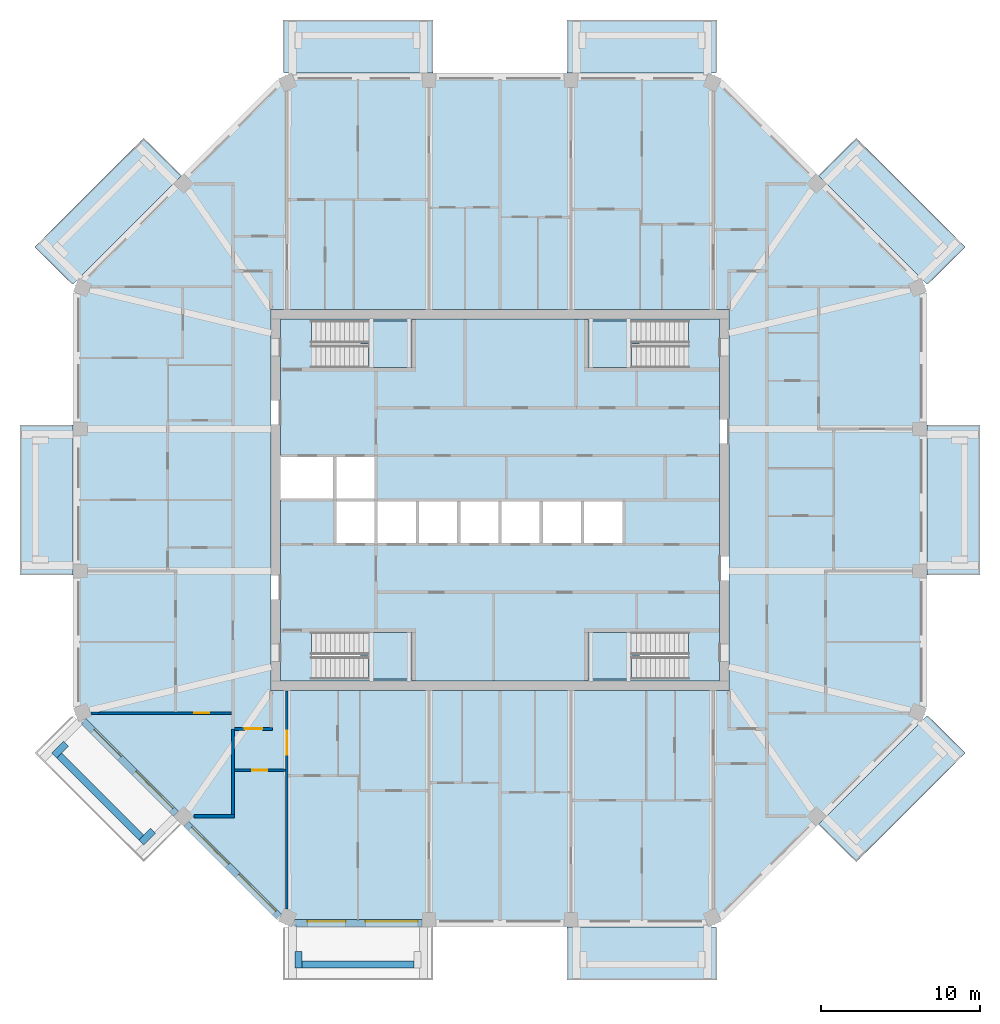
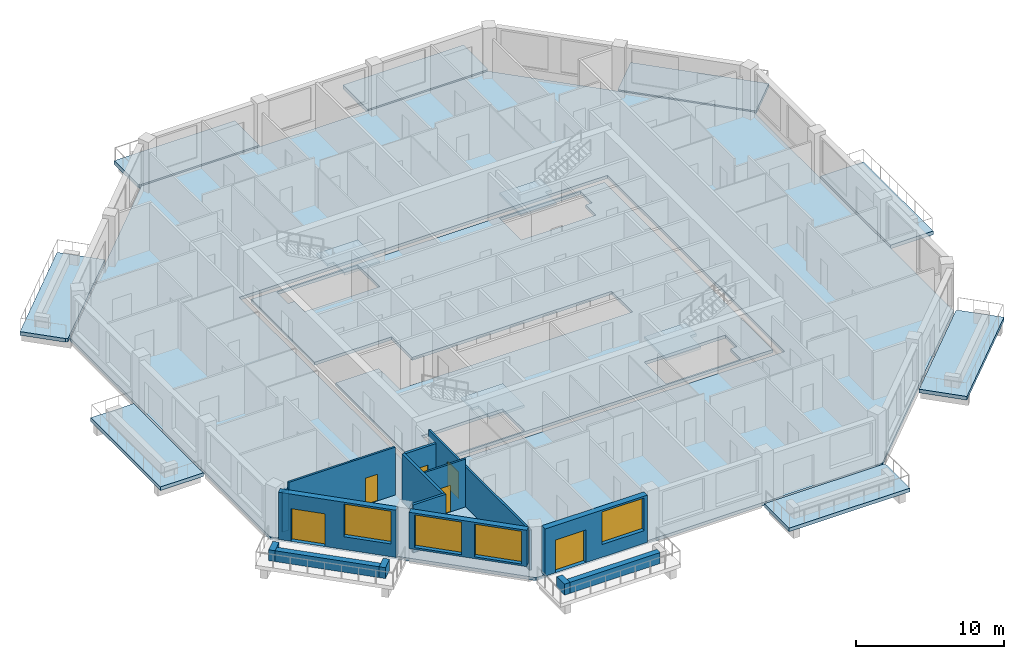
# One storey, part 2 of 13: 15 walls, 14 slabs, 6 doors, 4 windows, 10 openings, 4 elements without a shape of their own.
"""IFC4 building model written with IfcOpenShell, lengths in metres."""

from ifc_helpers import new_model, si_unit, direction, frame, frame_2d, origin, place, context, subcontext, project, spatial, polyline, rectangle, outline, extrude, material, layer, layer_set, type_object, element, fill, aggregate, save


model = new_model("IFC4")

# Units and contexts
model_context = context("Model", 3, precision=1e-05, world=origin(), true_north=direction((0.0, 1.0)))
body_context = subcontext(model_context, "Body", "Model", "MODEL_VIEW")
ifc_project = project(units=[si_unit("LENGTHUNIT", "METRE"), si_unit("AREAUNIT", "SQUARE_METRE"), si_unit("VOLUMEUNIT", "CUBIC_METRE"), si_unit("PLANEANGLEUNIT", "RADIAN"), si_unit("MASSUNIT", "GRAM", prefix="KILO")], contexts=[model_context])

# Site, building, storey
site_placement = place(None, origin())
site = spatial("IfcSite", under=ifc_project, at=site_placement, CompositionType="ELEMENT")
building_placement = place(site_placement, origin())
building = spatial("IfcBuilding", under=site, at=building_placement, Name="Msitu Wima Residences", CompositionType="ELEMENT")
storey_placement = place(building_placement, frame((0.0, 0.0, 281.10009765625)))
storey = spatial("IfcBuildingStorey", under=building, at=storey_placement, Name="L65", CompositionType="ELEMENT", Elevation=281.10009765625)

# Slabs
ifc_material_1 = material(Name="Concrete C40/50", Category="concrete")
ifc_layer_1 = layer(ifc_material_1, 0.300048828125)
ifc_layer_set_1 = layer_set([ifc_layer_1], Name="Concrete C40/50")
slab_type_1 = type_object("IfcSlabType", Name="Balcony slab BS300", PredefinedType="FLOOR", material=ifc_layer_set_1)
slab_1_placement = place(storey_placement, frame((0.0, 0.0, -0.300048828125)))
element("IfcSlab", 1, at=slab_1_placement, inside=storey, type_object=slab_type_1, Name="Balcony E1 L65", PredefinedType="FLOOR", context=body_context, shape_type="SweptSolid", body=[
    extrude(outline(polyline([(26.85009765625, -4.0185546875), (26.85009765625, 4.0185546875), (26.85009765625, 4.71875), (30.199951171875, 4.71875), (30.199951171875, -4.71875), (26.85009765625, -4.71875), (26.85009765625, -4.0185546875)])), origin(), (0.0, 0.0, 1.0), 0.300048828125),
])
slab_2_placement = place(storey_placement, frame((0.0, 0.0, -0.300048828125)))
element("IfcSlab", 2, at=slab_2_placement, inside=storey, type_object=slab_type_1, Name="Balcony NE0 L65", PredefinedType="FLOOR", context=body_context, shape_type="SweptSolid", body=[
    extrude(outline(polyline([(26.505615234375, 13.936767578125), (26.505615234375, 13.936767578125), (20.04443359375, 20.39794921875), (22.4130859375, 22.766845703125), (29.263671875, 15.916015625), (27.003662109375, 13.656005859375), (26.85009765625, 13.59228515625), (26.505615234375, 13.936767578125), (26.505615234375, 13.936767578125)])), origin(), (0.0, 0.0, 1.0), 0.300048828125),
])
slab_3_placement = place(storey_placement, frame((0.0, 0.0, -0.300048828125)))
element("IfcSlab", 3, at=slab_3_placement, inside=storey, type_object=slab_type_1, Name="Balcony N0 L65", PredefinedType="FLOOR", context=body_context, shape_type="SweptSolid", body=[
    extrude(outline(polyline([(13.105224609375, 26.85009765625), (13.105224609375, 26.85009765625), (4.918701171875, 26.85009765625), (4.21875, 26.85009765625), (4.21875, 30.199951171875), (13.656005859375, 30.199951171875), (13.656005859375, 27.003662109375), (13.59228515625, 26.85009765625), (13.105224609375, 26.85009765625), (13.105224609375, 26.85009765625)])), origin(), (0.0, 0.0, 1.0), 0.300048828125),
])
slab_4_placement = place(storey_placement, frame((0.0, 0.0, -0.300048828125)))
element("IfcSlab", 4, at=slab_4_placement, inside=storey, type_object=slab_type_1, Name="Balcony N2 L65", PredefinedType="FLOOR", context=body_context, shape_type="SweptSolid", body=[
    extrude(outline(polyline([(-13.105224609375, 26.85009765625), (-13.105224609375, 26.85009765625), (-13.105224609375, 26.85009765625), (-13.59228515625, 26.85009765625), (-13.656005859375, 27.003662109375), (-13.656005859375, 30.199951171875), (-4.21875, 30.199951171875), (-4.21875, 26.85009765625), (-4.918701171875, 26.85009765625), (-13.105224609375, 26.85009765625)])), origin(), (0.0, 0.0, 1.0), 0.300048828125),
])
slab_5_placement = place(storey_placement, frame((0.0, 0.0, -0.300048828125)))
element("IfcSlab", 5, at=slab_5_placement, inside=storey, type_object=slab_type_1, Name="Balcony NW1 L65", PredefinedType="FLOOR", context=body_context, shape_type="SweptSolid", body=[
    extrude(outline(polyline([(-26.505615234375, 13.936767578125), (-26.505615234375, 13.936767578125), (-26.85009765625, 13.59228515625), (-27.003662109375, 13.656005859375), (-29.263671875, 15.916015625), (-22.4130859375, 22.766845703125), (-20.04443359375, 20.39794921875), (-26.505615234375, 13.936767578125), (-26.505615234375, 13.936767578125)])), origin(), (0.0, 0.0, 1.0), 0.300048828125),
])
slab_6_placement = place(storey_placement, frame((0.0, 0.0, -0.300048828125)))
element("IfcSlab", 6, at=slab_6_placement, inside=storey, type_object=slab_type_1, Name="Balcony W1 L65", PredefinedType="FLOOR", context=body_context, shape_type="SweptSolid", body=[
    extrude(outline(polyline([(-26.85009765625, 4.0185546875), (-26.85009765625, -4.0185546875), (-26.85009765625, -4.71875), (-30.199951171875, -4.71875), (-30.199951171875, 4.71875), (-26.85009765625, 4.71875), (-26.85009765625, 4.0185546875)])), origin(), (0.0, 0.0, 1.0), 0.300048828125),
])
slab_7_placement = place(storey_placement, frame((0.0, 0.0, -0.300048828125)))
element("IfcSlab", 7, at=slab_7_placement, inside=storey, type_object=slab_type_1, Name="Balcony S2 L65", PredefinedType="FLOOR", context=body_context, shape_type="SweptSolid", body=[
    extrude(outline(polyline([(13.105224609375, -26.85009765625), (13.105224609375, -26.85009765625), (13.105224609375, -26.85009765625), (13.59228515625, -26.85009765625), (13.656005859375, -27.003662109375), (13.656005859375, -30.199951171875), (4.21875, -30.199951171875), (4.21875, -26.85009765625), (4.918701171875, -26.85009765625), (13.105224609375, -26.85009765625)])), origin(), (0.0, 0.0, 1.0), 0.300048828125),
])
slab_8_placement = place(storey_placement, frame((0.0, 0.0, -0.300048828125)))
element("IfcSlab", 8, at=slab_8_placement, inside=storey, type_object=slab_type_1, Name="Balcony SE1 L65", PredefinedType="FLOOR", context=body_context, shape_type="SweptSolid", body=[
    extrude(outline(polyline([(26.505615234375, -13.936767578125), (26.505615234375, -13.936767578125), (26.85009765625, -13.59228515625), (27.003662109375, -13.656005859375), (29.263671875, -15.916015625), (22.4130859375, -22.766845703125), (20.04443359375, -20.39794921875), (26.505615234375, -13.936767578125), (26.505615234375, -13.936767578125)])), origin(), (0.0, 0.0, 1.0), 0.300048828125),
])
ifc_layer_2 = layer(ifc_material_1, 0.25)
ifc_layer_set_2 = layer_set([ifc_layer_2], Name="Concrete C40/50")
slab_type_2 = type_object("IfcSlabType", Name="Core floor CF250", PredefinedType="FLOOR", material=ifc_layer_set_2)
slab_9_placement = place(storey_placement, frame((0.0, 0.0, -0.25)))
element("IfcSlab", 9, at=slab_9_placement, inside=storey, type_object=slab_type_2, Name="Core floor", PredefinedType="FLOOR", context=body_context, shape_type="SweptSolid", body=[
    extrude(outline(polyline([(-13.800048828125, 11.39990234375), (-13.800048828125, 2.800048828125), (-10.39990234375, 2.800048828125), (-7.800048828125, 2.800048828125), (-7.800048828125, 0.0), (-5.199951171875, 0.0), (-2.60009765625, 0.0), (0.0, 0.0), (2.60009765625, 0.0), (5.199951171875, 0.0), (7.800048828125, 0.0), (7.800048828125, -2.800048828125), (5.199951171875, -2.800048828125), (2.60009765625, -2.800048828125), (0.0, -2.800048828125), (-2.60009765625, -2.800048828125), (-5.199951171875, -2.800048828125), (-7.800048828125, -2.800048828125), (-10.39990234375, -2.800048828125), (-10.39990234375, 0.0), (-13.800048828125, 0.0), (-13.800048828125, -11.39990234375), (13.800048828125, -11.39990234375), (13.800048828125, 11.39990234375), (-13.800048828125, 11.39990234375)]), holes=[polyline([(-11.375, -11.27490234375), (-11.375, -9.875), (-11.87451171875, -9.875), (-11.87451171875, -8.324951171875), (-5.52490234375, -8.324951171875), (-5.52490234375, -11.27490234375), (-11.375, -11.27490234375)]), polyline([(-11.375, 8.324951171875), (-11.375, 9.72509765625), (-11.87451171875, 9.72509765625), (-11.87451171875, 11.27490234375), (-5.52490234375, 11.27490234375), (-5.52490234375, 8.324951171875), (-11.375, 8.324951171875)]), polyline([(11.375, -9.875), (11.375, -11.27490234375), (5.52490234375, -11.27490234375), (5.52490234375, -8.324951171875), (11.87451171875, -8.324951171875), (11.87451171875, -9.875), (11.375, -9.875)]), polyline([(11.375, 9.72509765625), (11.375, 8.324951171875), (5.52490234375, 8.324951171875), (5.52490234375, 11.27490234375), (11.87451171875, 11.27490234375), (11.87451171875, 9.72509765625), (11.375, 9.72509765625)])]), origin(), (0.0, 0.0, 1.0), 0.25),
])
ifc_layer_3 = layer(ifc_material_1, 0.25)
ifc_layer_set_3 = layer_set([ifc_layer_3], Name="Concrete C40/50")
slab_type_3 = type_object("IfcSlabType", Name="PT flat slab 250 Concrete C40/50", PredefinedType="FLOOR", material=ifc_layer_set_3)
slab_10_placement = place(storey_placement, frame((0.0, 0.0, -0.25)))
element("IfcSlab", 10, at=slab_10_placement, inside=storey, type_object=slab_type_3, Name="Floor slab L65", PredefinedType="FLOOR", context=body_context, shape_type="SweptSolid", body=[
    extrude(outline(polyline([(26.699951171875, -13.5302734375), (13.5302734375, -26.699951171875), (-13.5302734375, -26.699951171875), (-26.699951171875, -13.5302734375), (-26.699951171875, 13.5302734375), (-13.5302734375, 26.699951171875), (13.5302734375, 26.699951171875), (26.699951171875, 13.5302734375), (26.699951171875, -13.5302734375)]), holes=[polyline([(-14.39990234375, -12.0), (14.39990234375, -12.0), (14.39990234375, 12.0), (-14.39990234375, 12.0), (-14.39990234375, -12.0)])]), origin(), (0.0, 0.0, 1.0), 0.25),
])

# Stair, slab
stair_type = type_object("IfcStairType", Name="Exit stair ES1615-140", PredefinedType="HALF_TURN_STAIR", material=ifc_material_1)
stair_1_placement = place(storey_placement, origin())
stair_1 = element("IfcStair", 11, at=stair_1_placement, inside=storey, type_object=stair_type, Name="Exit stair 1", PredefinedType="HALF_TURN_STAIR")
ifc_layer_4 = layer(ifc_material_1, 0.199951171875)
ifc_layer_set_4 = layer_set([ifc_layer_4], Name="Concrete C40/50")
slab_type_4 = type_object("IfcSlabType", Name="Stair landing SL200", PredefinedType="LANDING", material=ifc_layer_set_4)
slab_11_placement = place(storey_placement, frame((0.0, 0.0, 1.89990234375)))
slab_11 = element("IfcSlab", 12, at=slab_11_placement, type_object=slab_type_4, Name="S1 landing 1", PredefinedType="LANDING", context=body_context, shape_type="SweptSolid", body=[
    extrude(outline(polyline([(-5.52490234375, 8.324951171875), (-8.275390625, 8.324951171875), (-8.275390625, 9.800048828125), (-8.77490234375, 9.800048828125), (-8.77490234375, 11.27490234375), (-5.52490234375, 11.27490234375), (-5.52490234375, 8.324951171875)])), origin(), (0.0, 0.0, 1.0), 0.199951171875),
])
aggregate(stair_1, [slab_11])

stair_2_placement = place(storey_placement, origin())
stair_2 = element("IfcStair", 13, at=stair_2_placement, inside=storey, type_object=stair_type, Name="Exit stair 2", PredefinedType="HALF_TURN_STAIR")
slab_12_placement = place(storey_placement, frame((0.0, 0.0, 1.89990234375)))
slab_12 = element("IfcSlab", 14, at=slab_12_placement, type_object=slab_type_4, Name="S2 landing 1", PredefinedType="LANDING", context=body_context, shape_type="SweptSolid", body=[
    extrude(outline(polyline([(-5.52490234375, -11.27490234375), (-8.275390625, -11.27490234375), (-8.275390625, -9.800048828125), (-8.77490234375, -9.800048828125), (-8.77490234375, -8.324951171875), (-5.52490234375, -8.324951171875), (-5.52490234375, -11.27490234375)])), origin(), (0.0, 0.0, 1.0), 0.199951171875),
])
aggregate(stair_2, [slab_12])

stair_3_placement = place(storey_placement, origin())
stair_3 = element("IfcStair", 15, at=stair_3_placement, inside=storey, type_object=stair_type, Name="Exit stair 3", PredefinedType="HALF_TURN_STAIR")
slab_13_placement = place(storey_placement, frame((0.0, 0.0, 1.89990234375)))
slab_13 = element("IfcSlab", 16, at=slab_13_placement, type_object=slab_type_4, Name="S3 landing 1", PredefinedType="LANDING", context=body_context, shape_type="SweptSolid", body=[
    extrude(outline(polyline([(5.52490234375, 8.324951171875), (8.275390625, 8.324951171875), (8.275390625, 9.800048828125), (8.77490234375, 9.800048828125), (8.77490234375, 11.27490234375), (5.52490234375, 11.27490234375), (5.52490234375, 8.324951171875)])), origin(), (0.0, 0.0, 1.0), 0.199951171875),
])
aggregate(stair_3, [slab_13])

stair_4_placement = place(storey_placement, origin())
stair_4 = element("IfcStair", 17, at=stair_4_placement, inside=storey, type_object=stair_type, Name="Exit stair 4", PredefinedType="HALF_TURN_STAIR")
slab_14_placement = place(storey_placement, frame((0.0, 0.0, 1.89990234375)))
slab_14 = element("IfcSlab", 18, at=slab_14_placement, type_object=slab_type_4, Name="S4 landing 1", PredefinedType="LANDING", context=body_context, shape_type="SweptSolid", body=[
    extrude(outline(polyline([(5.52490234375, -11.27490234375), (8.275390625, -11.27490234375), (8.275390625, -9.800048828125), (8.77490234375, -9.800048828125), (8.77490234375, -8.324951171875), (5.52490234375, -8.324951171875), (5.52490234375, -11.27490234375)])), origin(), (0.0, 0.0, 1.0), 0.199951171875),
])
aggregate(stair_4, [slab_14])

# Walls
ifc_material_2 = material(Name="Facing brick")
ifc_layer_5 = layer(ifc_material_2, 0.06494140625, Name="Facing brick")
ifc_layer_6 = layer(ifc_material_1, 0.156005859375, Name="Concrete C40/50")
ifc_material_3 = material(Name="Waterproofing membrane")
ifc_layer_7 = layer(ifc_material_3, 0.00390625, Name="Waterproofing membrane")
ifc_material_4 = material(Name="Planting soil and planting")
ifc_layer_8 = layer(ifc_material_4, 0.22509765625, Name="Planting soil and planting")
ifc_layer_set_5 = layer_set([ifc_layer_5, ifc_layer_6, ifc_layer_7, ifc_layer_8], Name="Concrete C40/50")
wall_type_1 = type_object("IfcWallType", Name="Balcony planter PLANTER PL450", PredefinedType="USERDEFINED", material=ifc_layer_set_5)
wall_1_placement = place(storey_placement, frame((-27.725830078125, -16.0751953125, 0.0), z_axis=(0.0, 0.0, 1.0), x_axis=(0.707106781187, -0.707106781187, 0.0)))
element("IfcWall", 19, at=wall_1_placement, inside=storey, type_object=wall_type_1, Name="Balcony planter SW0 L65", ObjectType="PLANTER", PredefinedType="USERDEFINED", context=body_context, shape_type="SweptSolid", body=[
    extrude(rectangle(XDim=7.288330078125, YDim=0.449951171875, at=frame_2d((3.64404296875, 0.0))), origin(), (0.0, 0.0, 1.0), 0.89990234375),
])
for number, where, z_axis, x_axis, name in (
    (20, (-27.301513671875, -15.332763671875, 0.0), (0.0, 0.0, 1.0), (-0.707106781187, -0.707106781187, 0.0), "Balcony planter SW0 L65"),
    (21, (-21.829833984375, -20.804443359375, 0.0), (0.0, 0.0, 1.0), (-0.707106781187, -0.707106781187, 0.0), "Balcony planter SW0 L65"),
):
    element("IfcWall", number, at=place(storey_placement, frame(where, z_axis=z_axis, x_axis=x_axis)), inside=storey, type_object=wall_type_1, Name=name, ObjectType="PLANTER", PredefinedType="USERDEFINED", context=body_context, shape_type="SweptSolid", body=[
        extrude(rectangle(XDim=1.050048828125, YDim=0.449951171875, at=frame_2d((0.52490234375, 0.0))), origin(), (0.0, 0.0, 1.0), 0.89990234375),
    ])
wall_2_placement = place(storey_placement, frame((-12.455810546875, -29.22509765625, 0.0), z_axis=(0.0, 0.0, 1.0), x_axis=(1.0, 0.0, 0.0)))
element("IfcWall", 22, at=wall_2_placement, inside=storey, type_object=wall_type_1, Name="Balcony planter S0 L65", ObjectType="PLANTER", PredefinedType="USERDEFINED", context=body_context, shape_type="SweptSolid", body=[
    extrude(rectangle(XDim=7.037109375, YDim=0.449951171875, at=frame_2d((3.5185546875, 0.0))), origin(), (0.0, 0.0, 1.0), 0.89990234375),
])
wall_3_placement = place(storey_placement, frame((-12.680908203125, -28.39990234375, 0.0), z_axis=(0.0, 0.0, 1.0), x_axis=(0.0, -1.0, 0.0)))
element("IfcWall", 23, at=wall_3_placement, inside=storey, type_object=wall_type_1, Name="Balcony planter S0 L65", ObjectType="PLANTER", PredefinedType="USERDEFINED", context=body_context, shape_type="SweptSolid", body=[
    extrude(rectangle(XDim=1.050048828125, YDim=0.449951171875, at=frame_2d((0.52490234375, 0.0))), origin(), (0.0, 0.0, 1.0), 0.89990234375),
])

# Wall, openings, door, window
ifc_material_5 = material(Name="Brick (red buff mix)", Category="masonry")
ifc_layer_9 = layer(ifc_material_5, 0.449951171875)
ifc_layer_set_6 = layer_set([ifc_layer_9], Name="Brick (red buff mix)")
wall_type_2 = type_object("IfcWallType", Name="Brick infill wall BW450", PredefinedType="SOLIDWALL", material=ifc_layer_set_6)
wall_4_placement = place(storey_placement, frame((-26.214599609375, -13.909423828125, 0.0), z_axis=(0.0, 0.0, 1.0), x_axis=(0.707106781187, -0.707106781187, 0.0)))
wall_4 = element("IfcWall", 24, at=wall_4_placement, inside=storey, type_object=wall_type_2, Name="Brick infill wall L65 SW0", PredefinedType="SOLIDWALL", context=body_context, shape_type="SweptSolid", body=[
    extrude(rectangle(XDim=8.251220703125, YDim=0.449951171875, at=frame_2d((4.12548828125, 0.0))), origin(), (0.0, 0.0, 1.0), 3.89990234375),
])
opening_1_placement = place(wall_4_placement, frame((0.86279296875, 0.0, 0.0)))
opening_1 = element("IfcOpeningElement", 25, at=opening_1_placement, cuts=wall_4, Name="Opening D65-67.009", PredefinedType="OPENING", context=body_context, shape_type="SweptSolid", body=[
    extrude(rectangle(XDim=2.39990234375, YDim=2.699951171875, at=frame_2d((1.199951171875, 1.35009765625))), frame((0.0, 0.23486328125, 0.0), z_axis=(0.0, -1.0, 0.0), x_axis=(1.0, 0.0, 0.0)), (0.0, 0.0, 1.0), 0.469970703125),
])
opening_2_placement = place(wall_4_placement, frame((4.57568359375, 0.0, 1.050048828125)))
opening_2 = element("IfcOpeningElement", 26, at=opening_2_placement, cuts=wall_4, Name="Opening W65-67.023", PredefinedType="OPENING", context=body_context, shape_type="SweptSolid", body=[
    extrude(rectangle(XDim=3.300048828125, YDim=2.699951171875, at=frame_2d((1.64990234375, 1.35009765625))), frame((0.0, 0.23486328125, 0.0), z_axis=(0.0, -1.0, 0.0), x_axis=(1.0, 0.0, 0.0)), (0.0, 0.0, 1.0), 0.469970703125),
])
ifc_material_6 = material(Name="Anodised aluminium, bronze finish, clear low-emissivity double glazing", Category="aluminium")
door_type_1 = type_object("IfcDoorType", Name="Balcony door D2400x2700", OperationType="SLIDING_TO_LEFT", PredefinedType="DOOR", material=ifc_material_6)
door_1_placement = place(opening_1_placement, origin())
door_1 = element("IfcDoor", 27, at=door_1_placement, inside=storey, type_object=door_type_1, Name="Balcony door L65 SW0", OperationType="SINGLE_SWING_LEFT", OverallHeight=2.699951171875, OverallWidth=2.39990234375, PredefinedType="DOOR", context=body_context, shape_type="SweptSolid", body=[
    extrude(rectangle(XDim=2.39990234375, YDim=2.699951171875, at=frame_2d((1.199951171875, 1.35009765625))), frame((0.0, 0.1298828125, 0.0), z_axis=(0.0, -1.0, 0.0), x_axis=(1.0, 0.0, 0.0)), (0.0, 0.0, 1.0), 0.050048828125),
])
fill(opening_1, door_1)
window_type = type_object("IfcWindowType", Name="Window W3300x2700", PartitioningType="DOUBLE_PANEL_VERTICAL", PredefinedType="WINDOW", material=ifc_material_6)
window_1_placement = place(opening_2_placement, origin())
window_1 = element("IfcWindow", 28, at=window_1_placement, inside=storey, type_object=window_type, Name="Window L65 SW0.2", OverallHeight=2.699951171875, OverallWidth=3.300048828125, PartitioningType="SINGLE_PANEL", PredefinedType="WINDOW", context=body_context, shape_type="SweptSolid", body=[
    extrude(rectangle(XDim=3.300048828125, YDim=2.699951171875, at=frame_2d((1.64990234375, 1.35009765625))), frame((0.0, 0.135009765625, 0.0), z_axis=(0.0, -1.0, 0.0), x_axis=(1.0, 0.0, 0.0)), (0.0, 0.0, 1.0), 0.06005859375),
])
fill(opening_2, window_1)

# Wall, openings, windows
wall_5_placement = place(storey_placement, frame((-19.743896484375, -20.380126953125, 0.89990234375), z_axis=(0.0, 0.0, 1.0), x_axis=(0.707106781187, -0.707106781187, 0.0)))
wall_5 = element("IfcWall", 29, at=wall_5_placement, inside=storey, type_object=wall_type_2, Name="Brick infill wall L65 SW1", PredefinedType="SOLIDWALL", context=body_context, shape_type="SweptSolid", body=[
    extrude(rectangle(XDim=8.251220703125, YDim=0.449951171875, at=frame_2d((4.12548828125, 0.0))), origin(), (0.0, 0.0, 1.0), 3.0),
])
opening_3_placement = place(wall_5_placement, frame((0.37548828125, 0.0, 0.14990234375)))
opening_3 = element("IfcOpeningElement", 30, at=opening_3_placement, cuts=wall_5, Name="Opening W65-67.024", PredefinedType="OPENING", context=body_context, shape_type="SweptSolid", body=[
    extrude(rectangle(XDim=3.300048828125, YDim=2.699951171875, at=frame_2d((1.64990234375, 1.35009765625))), frame((0.0, 0.23486328125, 0.0), z_axis=(0.0, -1.0, 0.0), x_axis=(1.0, 0.0, 0.0)), (0.0, 0.0, 1.0), 0.469970703125),
])
opening_4_placement = place(wall_5_placement, frame((4.57568359375, 0.0, 0.14990234375)))
opening_4 = element("IfcOpeningElement", 31, at=opening_4_placement, cuts=wall_5, Name="Opening W65-67.025", PredefinedType="OPENING", context=body_context, shape_type="SweptSolid", body=[
    extrude(rectangle(XDim=3.300048828125, YDim=2.699951171875, at=frame_2d((1.64990234375, 1.35009765625))), frame((0.0, 0.23486328125, 0.0), z_axis=(0.0, -1.0, 0.0), x_axis=(1.0, 0.0, 0.0)), (0.0, 0.0, 1.0), 0.469970703125),
])
window_2_placement = place(opening_3_placement, origin())
window_2 = element("IfcWindow", 32, at=window_2_placement, inside=storey, type_object=window_type, Name="Window L65 SW1.1", OverallHeight=2.699951171875, OverallWidth=3.300048828125, PartitioningType="SINGLE_PANEL", PredefinedType="WINDOW", context=body_context, shape_type="SweptSolid", body=[
    extrude(rectangle(XDim=3.300048828125, YDim=2.699951171875, at=frame_2d((1.64990234375, 1.35009765625))), frame((0.0, 0.135009765625, 0.0), z_axis=(0.0, -1.0, 0.0), x_axis=(1.0, 0.0, 0.0)), (0.0, 0.0, 1.0), 0.06005859375),
])
fill(opening_3, window_2)
window_3_placement = place(opening_4_placement, origin())
window_3 = element("IfcWindow", 33, at=window_3_placement, inside=storey, type_object=window_type, Name="Window L65 SW1.2", OverallHeight=2.699951171875, OverallWidth=3.300048828125, PartitioningType="SINGLE_PANEL", PredefinedType="WINDOW", context=body_context, shape_type="SweptSolid", body=[
    extrude(rectangle(XDim=3.300048828125, YDim=2.699951171875, at=frame_2d((1.64990234375, 1.35009765625))), frame((0.0, 0.135009765625, 0.0), z_axis=(0.0, -1.0, 0.0), x_axis=(1.0, 0.0, 0.0)), (0.0, 0.0, 1.0), 0.06005859375),
])
fill(opening_4, window_3)

# Wall, openings, door, window
wall_6_placement = place(storey_placement, frame((-12.918701171875, -26.625, 0.0), z_axis=(0.0, 0.0, 1.0), x_axis=(1.0, 0.0, 0.0)))
wall_6 = element("IfcWall", 34, at=wall_6_placement, inside=storey, type_object=wall_type_2, Name="Brick infill wall L65 S0", PredefinedType="SOLIDWALL", context=body_context, shape_type="SweptSolid", body=[
    extrude(rectangle(XDim=8.0, YDim=0.449951171875, at=frame_2d((4.0, 0.0))), origin(), (0.0, 0.0, 1.0), 3.89990234375),
])
opening_5_placement = place(wall_6_placement, frame((0.800048828125, 0.0, 0.0)))
opening_5 = element("IfcOpeningElement", 35, at=opening_5_placement, cuts=wall_6, Name="Opening D65-67.006", PredefinedType="OPENING", context=body_context, shape_type="SweptSolid", body=[
    extrude(rectangle(XDim=2.39990234375, YDim=2.699951171875, at=frame_2d((1.199951171875, 1.35009765625))), frame((0.0, 0.23486328125, 0.0), z_axis=(0.0, -1.0, 0.0), x_axis=(1.0, 0.0, 0.0)), (0.0, 0.0, 1.0), 0.469970703125),
])
opening_6_placement = place(wall_6_placement, frame((4.4501953125, 0.0, 1.050048828125)))
opening_6 = element("IfcOpeningElement", 36, at=opening_6_placement, cuts=wall_6, Name="Opening W65-67.016", PredefinedType="OPENING", context=body_context, shape_type="SweptSolid", body=[
    extrude(rectangle(XDim=3.300048828125, YDim=2.699951171875, at=frame_2d((1.64990234375, 1.35009765625))), frame((0.0, 0.23486328125, 0.0), z_axis=(0.0, -1.0, 0.0), x_axis=(1.0, 0.0, 0.0)), (0.0, 0.0, 1.0), 0.469970703125),
])
door_2_placement = place(opening_5_placement, origin())
door_2 = element("IfcDoor", 37, at=door_2_placement, inside=storey, type_object=door_type_1, Name="Balcony door L65 S0", OperationType="SINGLE_SWING_LEFT", OverallHeight=2.699951171875, OverallWidth=2.39990234375, PredefinedType="DOOR", context=body_context, shape_type="SweptSolid", body=[
    extrude(rectangle(XDim=2.39990234375, YDim=2.699951171875, at=frame_2d((1.199951171875, 1.35009765625))), frame((0.0, 0.1298828125, 0.0), z_axis=(0.0, -1.0, 0.0), x_axis=(1.0, 0.0, 0.0)), (0.0, 0.0, 1.0), 0.050048828125),
])
fill(opening_5, door_2)
window_4_placement = place(opening_6_placement, origin())
window_4 = element("IfcWindow", 38, at=window_4_placement, inside=storey, type_object=window_type, Name="Window L65 S0.2", OverallHeight=2.699951171875, OverallWidth=3.300048828125, PartitioningType="SINGLE_PANEL", PredefinedType="WINDOW", context=body_context, shape_type="SweptSolid", body=[
    extrude(rectangle(XDim=3.300048828125, YDim=2.699951171875, at=frame_2d((1.64990234375, 1.35009765625))), frame((0.0, 0.135009765625, 0.0), z_axis=(0.0, -1.0, 0.0), x_axis=(1.0, 0.0, 0.0)), (0.0, 0.0, 1.0), 0.06005859375),
])
fill(opening_6, window_4)

# Wall, opening, door
ifc_material_7 = material(Name="Plaster")
ifc_layer_10 = layer(ifc_material_7, 0.011962890625, Name="Plaster")
ifc_material_8 = material(Name="Concrete blockwork", Category="masonry")
ifc_layer_11 = layer(ifc_material_8, 0.176025390625, Name="Concrete blockwork")
ifc_layer_12 = layer(ifc_material_7, 0.011962890625, Name="Plaster")
ifc_layer_set_7 = layer_set([ifc_layer_10, ifc_layer_11, ifc_layer_12], Name="Concrete blockwork")
wall_type_3 = type_object("IfcWallType", Name="Corridor wall FW200", PredefinedType="PARTITIONING", material=ifc_layer_set_7)
wall_7_placement = place(storey_placement, frame((-16.699951171875, -14.39990234375, 0.0), z_axis=(0.0, 0.0, 1.0), x_axis=(1.0, 0.0, 0.0)))
wall_7 = element("IfcWall", 39, at=wall_7_placement, inside=storey, type_object=wall_type_3, Name="Corridor wall", PredefinedType="PARTITIONING", context=body_context, shape_type="SweptSolid", body=[
    extrude(rectangle(XDim=2.39990234375, YDim=0.199951171875, at=frame_2d((1.199951171875, 0.0))), origin(), (0.0, 0.0, 1.0), 3.949951171875),
])
opening_7_placement = place(wall_7_placement, frame((0.64990234375, 0.0, 0.0)))
opening_7 = element("IfcOpeningElement", 40, at=opening_7_placement, cuts=wall_7, Name="Opening D65-67.054", PredefinedType="OPENING", context=body_context, shape_type="SweptSolid", body=[
    extrude(rectangle(XDim=1.10009765625, YDim=2.39990234375, at=frame_2d((0.550048828125, 1.199951171875))), frame((0.0, 0.10986328125, 0.0), z_axis=(0.0, -1.0, 0.0), x_axis=(1.0, 0.0, 0.0)), (0.0, 0.0, 1.0), 0.219970703125),
])
ifc_material_9 = material(Name="Timber flush door, fire resisting, self-closing", Category="wood")
door_type_2 = type_object("IfcDoorType", Name="Flat entrance door D01 1100x2400", OperationType="SINGLE_SWING_LEFT", PredefinedType="DOOR", material=ifc_material_9)
door_3_placement = place(opening_7_placement, origin())
door_3 = element("IfcDoor", 41, at=door_3_placement, inside=storey, type_object=door_type_2, Name="Flat entrance door", OperationType="SINGLE_SWING_RIGHT", OverallHeight=2.39990234375, OverallWidth=1.10009765625, PredefinedType="DOOR", context=body_context, shape_type="SweptSolid", body=[
    extrude(rectangle(XDim=1.10009765625, YDim=2.39990234375, at=frame_2d((0.550048828125, 1.199951171875))), frame((0.0, 0.02490234375, 0.0), z_axis=(0.0, -1.0, 0.0), x_axis=(1.0, 0.0, 0.0)), (0.0, 0.0, 1.0), 0.050048828125),
])
fill(opening_7, door_3)

# Wall
ifc_layer_13 = layer(ifc_material_7, 0.011962890625, Name="Plaster")
ifc_layer_14 = layer(ifc_material_8, 0.1259765625, Name="Concrete blockwork")
ifc_layer_15 = layer(ifc_material_7, 0.011962890625, Name="Plaster")
ifc_layer_set_8 = layer_set([ifc_layer_13, ifc_layer_14, ifc_layer_15], Name="Concrete blockwork")
wall_type_4 = type_object("IfcWallType", Name="Partition PW150", PredefinedType="PARTITIONING", material=ifc_layer_set_8)
wall_8_placement = place(storey_placement, frame((-25.731201171875, -13.406005859375, 0.0), z_axis=(0.0, 0.0, 1.0), x_axis=(1.0, 0.0, 0.0)))
element("IfcWall", 42, at=wall_8_placement, inside=storey, type_object=wall_type_4, Name="Partition", PredefinedType="PARTITIONING", context=body_context, shape_type="SweptSolid", body=[
    extrude(rectangle(XDim=0.507080078125, YDim=0.14990234375, at=frame_2d((0.25341796875, 0.0))), origin(), (0.0, 0.0, 1.0), 3.349853515625),
])

# Wall, opening, door
wall_9_placement = place(storey_placement, frame((-25.22412109375, -13.406005859375, 0.0), z_axis=(0.0, 0.0, 1.0), x_axis=(1.0, 0.0, 0.0)))
wall_9 = element("IfcWall", 43, at=wall_9_placement, inside=storey, type_object=wall_type_4, Name="Partition", PredefinedType="PARTITIONING", context=body_context, shape_type="SweptSolid", body=[
    extrude(rectangle(XDim=8.32421875, YDim=0.14990234375, at=frame_2d((4.162109375, 0.0))), origin(), (0.0, 0.0, 1.0), 3.949951171875),
])
opening_8_placement = place(wall_9_placement, frame((5.992919921875, 0.0, 0.0)))
opening_8 = element("IfcOpeningElement", 44, at=opening_8_placement, cuts=wall_9, Name="Opening D65-67.043", PredefinedType="OPENING", context=body_context, shape_type="SweptSolid", body=[
    extrude(rectangle(XDim=0.949951171875, YDim=2.199951171875, at=frame_2d((0.47509765625, 1.10009765625))), frame((0.0, 0.0849609375, 0.0), z_axis=(0.0, -1.0, 0.0), x_axis=(1.0, 0.0, 0.0)), (0.0, 0.0, 1.0), 0.169921875),
])
ifc_material_10 = material(Name="Timber flush door", Category="wood")
door_type_3 = type_object("IfcDoorType", Name="Room door D12 950x2200", OperationType="SINGLE_SWING_LEFT", PredefinedType="DOOR", material=ifc_material_10)
door_4_placement = place(opening_8_placement, origin())
door_4 = element("IfcDoor", 45, at=door_4_placement, inside=storey, type_object=door_type_3, Name="Room door", OperationType="SINGLE_SWING_LEFT", OverallHeight=2.199951171875, OverallWidth=0.949951171875, PredefinedType="DOOR", context=body_context, shape_type="SweptSolid", body=[
    extrude(rectangle(XDim=0.949951171875, YDim=2.199951171875, at=frame_2d((0.47509765625, 1.10009765625))), frame((0.0, 0.02490234375, 0.0), z_axis=(0.0, -1.0, 0.0), x_axis=(1.0, 0.0, 0.0)), (0.0, 0.0, 1.0), 0.050048828125),
])
fill(opening_8, door_4)

wall_10_placement = place(storey_placement, frame((-16.699951171875, -17.0, 0.0), z_axis=(0.0, 0.0, 1.0), x_axis=(1.0, 0.0, 0.0)))
wall_10 = element("IfcWall", 46, at=wall_10_placement, inside=storey, type_object=wall_type_4, Name="Partition", PredefinedType="PARTITIONING", context=body_context, shape_type="SweptSolid", body=[
    extrude(rectangle(XDim=3.218994140625, YDim=0.14990234375, at=frame_2d((1.609375, 0.0))), origin(), (0.0, 0.0, 1.0), 3.949951171875),
])
opening_9_placement = place(wall_10_placement, frame((1.10009765625, 0.0, 0.0)))
opening_9 = element("IfcOpeningElement", 47, at=opening_9_placement, cuts=wall_10, Name="Opening D65-67.057", PredefinedType="OPENING", context=body_context, shape_type="SweptSolid", body=[
    extrude(rectangle(XDim=0.949951171875, YDim=2.199951171875, at=frame_2d((0.47509765625, 1.10009765625))), frame((0.0, 0.0849609375, 0.0), z_axis=(0.0, -1.0, 0.0), x_axis=(1.0, 0.0, 0.0)), (0.0, 0.0, 1.0), 0.169921875),
])
door_5_placement = place(opening_9_placement, origin())
door_5 = element("IfcDoor", 48, at=door_5_placement, inside=storey, type_object=door_type_3, Name="Room door", OperationType="SINGLE_SWING_RIGHT", OverallHeight=2.199951171875, OverallWidth=0.949951171875, PredefinedType="DOOR", context=body_context, shape_type="SweptSolid", body=[
    extrude(rectangle(XDim=0.949951171875, YDim=2.199951171875, at=frame_2d((0.47509765625, 1.10009765625))), frame((0.0, 0.02490234375, 0.0), z_axis=(0.0, -1.0, 0.0), x_axis=(1.0, 0.0, 0.0)), (0.0, 0.0, 1.0), 0.050048828125),
])
fill(opening_9, door_5)

wall_11_placement = place(storey_placement, frame((-13.406005859375, -25.731201171875, 0.0), z_axis=(0.0, 0.0, 1.0), x_axis=(0.0, 1.0, 0.0)))
wall_11 = element("IfcWall", 49, at=wall_11_placement, inside=storey, type_object=wall_type_4, Name="Partition", PredefinedType="PARTITIONING", context=body_context, shape_type="SweptSolid", body=[
    extrude(rectangle(XDim=13.701171875, YDim=0.14990234375, at=frame_2d((6.8505859375, 0.0))), origin(), (0.0, 0.0, 1.0), 3.2998046875),
])
opening_10_placement = place(wall_11_placement, frame((9.699951171875, 0.0, 0.0)))
opening_10 = element("IfcOpeningElement", 50, at=opening_10_placement, cuts=wall_11, Name="Opening D65-67.055", PredefinedType="OPENING", context=body_context, shape_type="SweptSolid", body=[
    extrude(rectangle(XDim=1.5, YDim=2.199951171875, at=frame_2d((0.75, 1.10009765625))), frame((0.0, 0.0849609375, 0.0), z_axis=(0.0, -1.0, 0.0), x_axis=(1.0, 0.0, 0.0)), (0.0, 0.0, 1.0), 0.169921875),
])
ifc_material_11 = material(Name="Timber double door", Category="wood")
door_type_4 = type_object("IfcDoorType", Name="Double door D04 1500x2200", OperationType="DOUBLE_DOOR_SINGLE_SWING", PredefinedType="DOOR", material=ifc_material_11)
door_6_placement = place(opening_10_placement, origin())
door_6 = element("IfcDoor", 51, at=door_6_placement, inside=storey, type_object=door_type_4, Name="Double door", OperationType="DOUBLE_DOOR_SINGLE_SWING", OverallHeight=2.199951171875, OverallWidth=1.5, PredefinedType="DOOR", context=body_context, shape_type="SweptSolid", body=[
    extrude(rectangle(XDim=1.5, YDim=2.199951171875, at=frame_2d((0.75, 1.10009765625))), frame((0.0, 0.02490234375, 0.0), z_axis=(0.0, -1.0, 0.0), x_axis=(1.0, 0.0, 0.0)), (0.0, 0.0, 1.0), 0.050048828125),
])
fill(opening_10, door_6)

# Walls
ifc_layer_16 = layer(ifc_material_7, 0.011962890625, Name="Plaster")
ifc_material_12 = material(Name="Dense concrete blockwork", Category="masonry")
ifc_layer_17 = layer(ifc_material_12, 0.176025390625, Name="Dense concrete blockwork")
ifc_layer_18 = layer(ifc_material_7, 0.011962890625, Name="Plaster")
ifc_layer_set_9 = layer_set([ifc_layer_16, ifc_layer_17, ifc_layer_18], Name="Dense concrete blockwork")
wall_type_5 = type_object("IfcWallType", Name="Party wall PW200", PredefinedType="PARTITIONING", material=ifc_layer_set_9)
wall_12_placement = place(storey_placement, frame((-19.2666015625, -19.90283203125, 0.0), z_axis=(0.0, 0.0, 1.0), x_axis=(1.0, 0.0, 0.0)))
element("IfcWall", 52, at=wall_12_placement, inside=storey, type_object=wall_type_5, Name="Party wall", PredefinedType="PARTITIONING", context=body_context, shape_type="SweptSolid", body=[
    extrude(rectangle(XDim=2.566650390625, YDim=0.199951171875, at=frame_2d((1.283203125, 0.0))), origin(), (0.0, 0.0, 1.0), 3.949951171875),
])
wall_13_placement = place(storey_placement, frame((-16.800048828125, -19.802978515625, 0.0), z_axis=(0.0, 0.0, 1.0), x_axis=(0.0, 1.0, 0.0)))
element("IfcWall", 53, at=wall_13_placement, inside=storey, type_object=wall_type_5, Name="Party wall", PredefinedType="PARTITIONING", context=body_context, shape_type="SweptSolid", body=[
    extrude(rectangle(XDim=5.403076171875, YDim=0.199951171875, at=frame_2d((2.70166015625, 0.0))), origin(), (0.0, 0.0, 1.0), 3.949951171875),
])

save(model, "model.ifc")
